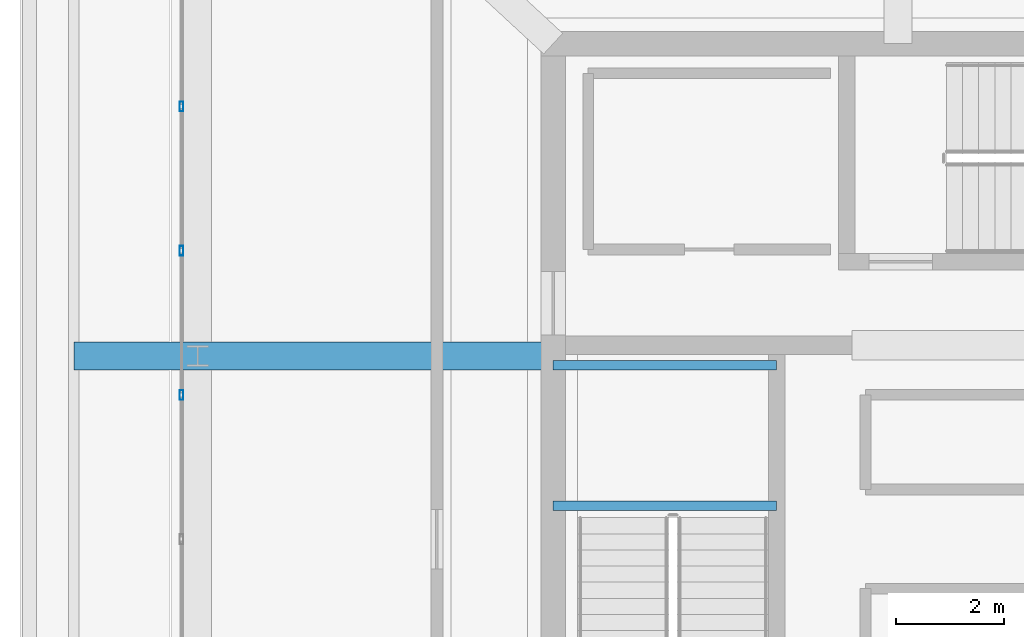
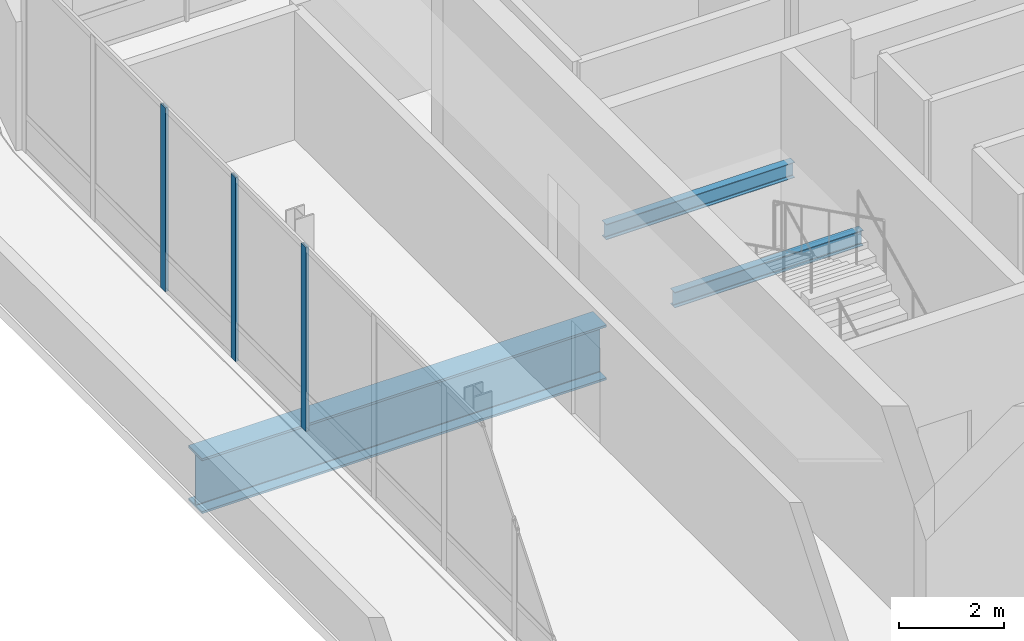
# One storey, part 9 of 28: 3 beams, 3 members, 1 element without a shape of its own.
"""IFC4 building model written with IfcOpenShell, lengths in metres."""

from ifc_helpers import new_model, si_unit, direction, frame, origin, origin_2d, place, context, subcontext, project, spatial, hollow_rectangle, i_section, extrude, material, material_profile, profile_set, type_object, element, aggregate, save


model = new_model("IFC4")

# Units and contexts
model_context = context("Model", 3, precision=1e-05, world=origin(), true_north=direction((0.0, 1.0)))
body_context = subcontext(model_context, "Body", "Model", "MODEL_VIEW")
ifc_project = project(units=[si_unit("LENGTHUNIT", "METRE"), si_unit("AREAUNIT", "SQUARE_METRE"), si_unit("VOLUMEUNIT", "CUBIC_METRE"), si_unit("PLANEANGLEUNIT", "RADIAN"), si_unit("MASSUNIT", "GRAM", prefix="KILO")], contexts=[model_context])

# Site, building, storey
site_placement = place(None, origin())
site = spatial("IfcSite", under=ifc_project, at=site_placement, CompositionType="ELEMENT")
building_placement = place(site_placement, origin())
building = spatial("IfcBuilding", under=site, at=building_placement, Name="Punatoya Terracotta Tower", CompositionType="ELEMENT")
storey_placement = place(building_placement, frame((0.0, 0.0, 352.800048828125)))
storey = spatial("IfcBuildingStorey", under=building, at=storey_placement, Name="L83", CompositionType="ELEMENT", Elevation=352.800048828125)

# Beams
ifc_material_1 = material(Name="Steel S355", Category="steel")
ifc_material_profile_1 = material_profile(ifc_material_1, i_section(OverallWidth=0.169921875, OverallDepth=0.360107421875, WebThickness=0.008056640625, FlangeThickness=0.0126953125, FilletRadius=0.01806640625, at=origin_2d()))
ifc_profile_set_1 = profile_set([ifc_material_profile_1], Name="Steel S355")
beam_type_1 = type_object("IfcBeamType", Name="BM-SEC-360", PredefinedType="JOIST", material=ifc_profile_set_1)
for number, where, z_axis, x_axis, name in (
    (1, (-10.199951171875, 0.6201171875, 1.869873046875), (1.0, 0.0, 0.0), (0.0, 1.0, 0.0), "BM-L83-ST-1-LD1A"),
    (2, (-10.199951171875, 3.22998046875, 1.869873046875), (1.0, 0.0, 0.0), (0.0, 1.0, 0.0), "BM-L83-ST-1-LD1B"),
):
    element("IfcBeam", number, at=place(storey_placement, frame(where, z_axis=z_axis, x_axis=x_axis)), inside=storey, type_object=beam_type_1, Name=name, PredefinedType="JOIST", context=body_context, shape_type="SweptSolid", body=[
        extrude(i_section(OverallWidth=0.169921875, OverallDepth=0.360107421875, WebThickness=0.008056640625, FlangeThickness=0.0126953125, FilletRadius=0.01806640625, at=origin_2d()), origin(), (0.0, 0.0, 1.0), 4.14990234375),
    ])
ifc_material_2 = material(Name="Steel S460", Category="steel")
ifc_material_profile_2 = material_profile(ifc_material_2, i_section(OverallWidth=0.52001953125, OverallDepth=1.280029296875, WebThickness=0.031982421875, FlangeThickness=0.050048828125, FilletRadius=0.01806640625, at=origin_2d()))
ifc_profile_set_2 = profile_set([ifc_material_profile_2], Name="Steel S460")
beam_type_2 = type_object("IfcBeamType", Name="BM-TG-NCK", PredefinedType="BEAM", material=ifc_profile_set_2)
beam_placement = place(storey_placement, frame((-19.10009765625, 3.39990234375, -0.920166015625), z_axis=(1.0, 0.0, 0.0), x_axis=(0.0, 1.0, 0.0)))
element("IfcBeam", 3, at=beam_placement, inside=storey, type_object=beam_type_2, Name="BM-L83-CW2", PredefinedType="BEAM", context=body_context, shape_type="SweptSolid", body=[
    extrude(i_section(OverallWidth=0.52001953125, OverallDepth=1.280029296875, WebThickness=0.031982421875, FlangeThickness=0.050048828125, FilletRadius=0.01806640625, at=origin_2d()), origin(), (0.0, 0.0, 1.0), 8.900146484375),
])

# Curtain wall, members
ifc_material_3 = material(Name="Aluminium 6063-T6 + Double Low-E Glass", Category="aluminium")
curtain_wall_type = type_object("IfcCurtainWallType", Name="CW-CRN", PredefinedType="NOTDEFINED", material=ifc_material_3)
curtain_wall_placement = place(storey_placement, origin())
curtain_wall = element("IfcCurtainWall", 4, at=curtain_wall_placement, inside=storey, type_object=curtain_wall_type, Name="L83 Curtain Wall CW-L83-W13-1", PredefinedType="NOTDEFINED")
ifc_material_4 = material(Name="Aluminium 6063-T6", Category="aluminium")
ifc_material_profile_3 = material_profile(ifc_material_4, hollow_rectangle(XDim=0.070068359375, YDim=0.179931640625, WallThickness=0.00390625, at=origin_2d()))
ifc_profile_set_3 = profile_set([ifc_material_profile_3], Name="Aluminium 6063-T6")
member_type = type_object("IfcMemberType", Name="CW-MUL-M3", PredefinedType="MULLION", material=ifc_profile_set_3)
member_1_placement = place(storey_placement, frame((-17.10009765625, 8.031982421875, 0.0), z_axis=(0.0, 0.0, 1.0), x_axis=(1.0, 0.0, 0.0)))
member_1 = element("IfcMember", 5, at=member_1_placement, type_object=member_type, Name="CW-L83-W13-1 Mullion 02", PredefinedType="MULLION", context=body_context, shape_type="SweptSolid", body=[
    extrude(hollow_rectangle(XDim=0.070068359375, YDim=0.179931640625, WallThickness=0.00390625, at=origin_2d()), origin(), (0.0, 0.0, 1.0), 4.280029296875),
])
member_2_placement = place(storey_placement, frame((-17.10009765625, 5.354736328125, 0.0), z_axis=(0.0, 0.0, 1.0), x_axis=(1.0, 0.0, 0.0)))
member_2 = element("IfcMember", 6, at=member_2_placement, type_object=member_type, Name="CW-L83-W13-1 Mullion 03", PredefinedType="MULLION", context=body_context, shape_type="SweptSolid", body=[
    extrude(hollow_rectangle(XDim=0.070068359375, YDim=0.179931640625, WallThickness=0.00390625, at=origin_2d()), origin(), (0.0, 0.0, 1.0), 4.280029296875),
])
member_3_placement = place(storey_placement, frame((-17.10009765625, 2.677490234375, 0.0), z_axis=(0.0, 0.0, 1.0), x_axis=(1.0, 0.0, 0.0)))
member_3 = element("IfcMember", 7, at=member_3_placement, type_object=member_type, Name="CW-L83-W13-1 Mullion 04", PredefinedType="MULLION", context=body_context, shape_type="SweptSolid", body=[
    extrude(hollow_rectangle(XDim=0.070068359375, YDim=0.179931640625, WallThickness=0.00390625, at=origin_2d()), origin(), (0.0, 0.0, 1.0), 4.280029296875),
])
aggregate(curtain_wall, [member_1, member_2, member_3])

save(model, "model.ifc")
